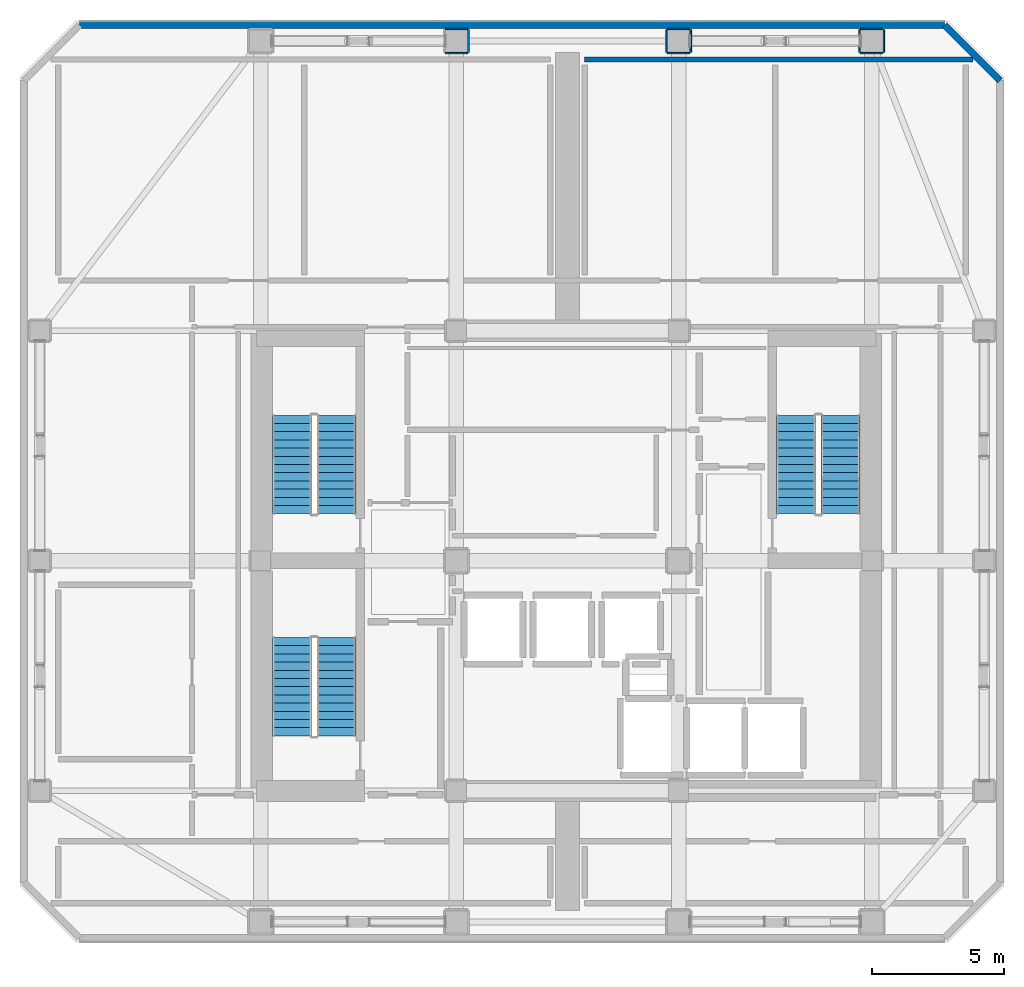
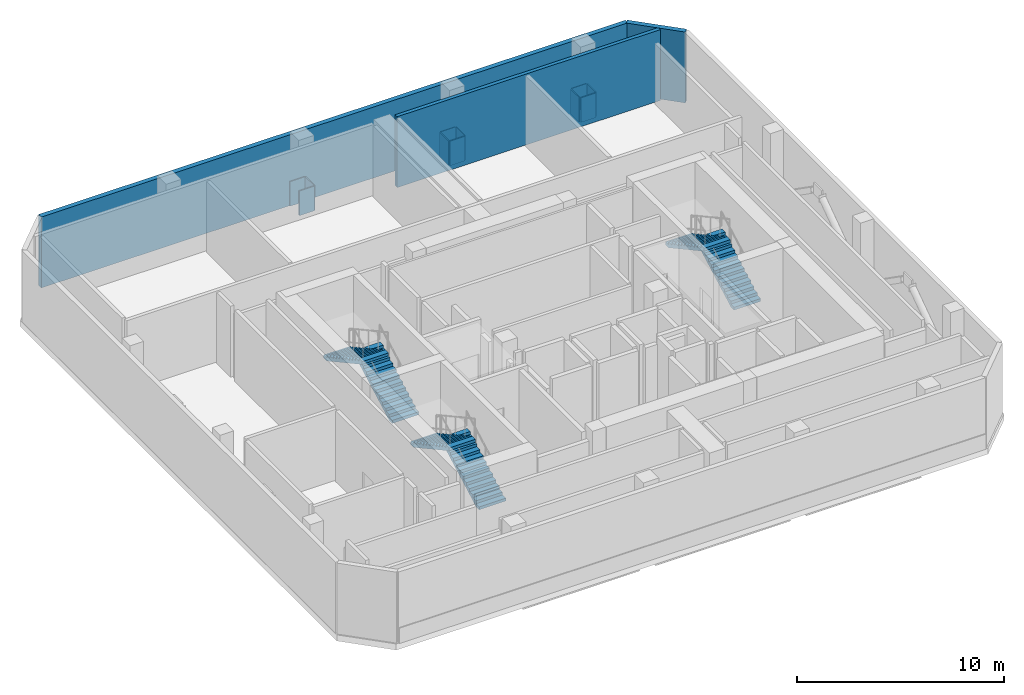
# One storey, part 11 of 13: 14 walls, 6 stair flights, 3 elements without a shape of their own.
"""IFC4 building model written with IfcOpenShell, lengths in metres."""

import ifcopenshell
import ifcopenshell.guid

model = None  # the IFC model being written
_history = None  # IfcOwnerHistory: only IFC2X3 demands one
_inside = {}  # id of a spatial element -> (the spatial element, [elements in it])
_under = {}  # id of a project, library or spatial element -> (it, [spatial elements below it])
_declared = {}  # id of a project -> (the project, [libraries it declares])
_typed = {}  # id of a type object -> (the type object, [elements of that type])
_made_of = {}  # id of a material, layer set ... -> (it, [elements and type objects made of it])


def new_model(schema):
    """Start an empty IFC model of exactly this schema.

    Asked for "IFC4X3", IfcOpenShell would pick the latest addendum, in which some entities
    have other attributes; the version numbers below select the first issue.
    IFC2X3 requires an IfcOwnerHistory on every rooted entity: one is made here for all.
    """
    global model, _history
    if schema == "IFC4X3":
        model = ifcopenshell.file(schema_version=(4, 3, 0, 0))
    else:
        model = ifcopenshell.file(schema=schema)
    _inside.clear()
    _under.clear()
    _declared.clear()
    _typed.clear()
    _made_of.clear()
    _history = None
    if model.schema == "IFC2X3":
        org = make("IfcOrganization", Name="unknown")
        user = make(
            "IfcPersonAndOrganization",
            ThePerson=make("IfcPerson", FamilyName="unknown"),
            TheOrganization=org,
        )
        app = make(
            "IfcApplication",
            ApplicationDeveloper=org,
            Version="unknown",
            ApplicationFullName="unknown",
            ApplicationIdentifier="unknown",
        )
        _history = make(
            "IfcOwnerHistory",
            OwningUser=user,
            OwningApplication=app,
            ChangeAction="ADDED",
            CreationDate=0,
        )
    return model


def make(cls, **values):
    """One entity of the class cls with the attributes given. An attribute that is None is left unset."""
    return model.create_entity(
        cls, **{name: value for name, value in values.items() if value is not None}
    )


def rooted(cls, **values):
    """An entity with a GlobalId (a new one), such as an element, a storey or a relation."""
    return make(cls, GlobalId=ifcopenshell.guid.new(), OwnerHistory=_history, **values)


def si_unit(unit_type, name, prefix=None):
    """IfcSIUnit, for example si_unit("LENGTHUNIT", "METRE", prefix="MILLI")."""
    return make("IfcSIUnit", UnitType=unit_type, Prefix=prefix, Name=name)


def assignment(units):
    """IfcUnitAssignment: the units of a project."""
    return None if units is None else make("IfcUnitAssignment", Units=units)


def point(xyz):
    """IfcCartesianPoint."""
    return None if xyz is None else make("IfcCartesianPoint", Coordinates=xyz)


def direction(xyz):
    """IfcDirection."""
    return None if xyz is None else make("IfcDirection", DirectionRatios=xyz)


def frame(location, z_axis=None, x_axis=None):
    """IfcAxis2Placement3D, a coordinate frame: its origin and axes. An axis left out is left unset."""
    return make(
        "IfcAxis2Placement3D",
        Location=point(location),
        Axis=direction(z_axis),
        RefDirection=direction(x_axis),
    )


def frame_2d(location, x_axis=None):
    """IfcAxis2Placement2D, a coordinate frame in the plane: its origin and x axis."""
    return make(
        "IfcAxis2Placement2D", Location=point(location), RefDirection=direction(x_axis)
    )


def origin():
    """The frame at (0, 0, 0) with its axes left unset."""
    return frame((0.0, 0.0, 0.0))


def place(relative_to, where):
    """IfcLocalPlacement: puts the frame where relative to a parent placement (None: the world)."""
    return make(
        "IfcLocalPlacement", PlacementRelTo=relative_to, RelativePlacement=where
    )


def context(
    kind, dimensions, precision=None, world=None, true_north=None, identifier=None
):
    """IfcGeometricRepresentationContext, for example the 3D "Model" context."""
    return make(
        "IfcGeometricRepresentationContext",
        ContextIdentifier=identifier,
        ContextType=kind,
        CoordinateSpaceDimension=dimensions,
        Precision=precision,
        WorldCoordinateSystem=world,
        TrueNorth=true_north,
    )


def subcontext(parent, identifier, kind, view, scale=None):
    """IfcGeometricRepresentationSubContext, for example "Body" below "Model"."""
    return make(
        "IfcGeometricRepresentationSubContext",
        ContextIdentifier=identifier,
        ContextType=kind,
        ParentContext=parent,
        TargetScale=scale,
        TargetView=view,
    )


def project(units=None, contexts=None):
    """IfcProject with its units and contexts."""
    return rooted(
        "IfcProject",
        Name="project",
        RepresentationContexts=contexts,
        UnitsInContext=assignment(units),
    )


def spatial(cls, under=None, at=None, **own):
    """A site, building, storey or space (cls), placed at a placement, below another one or the project."""
    s = rooted(cls, ObjectPlacement=at, **own)
    if under is not None:
        _under.setdefault(under.id(), (under, []))[1].append(s)
    return s


def polyline(points):
    """IfcPolyline through the points."""
    return make("IfcPolyline", Points=[point(p) for p in points])


def profile(cls, at=None, kind="AREA", **sizes):
    """A parametric profile (cls). Its sizes go by their IFC names, for example OverallWidth=200.0."""
    return make(cls, ProfileType=kind, Position=at, **sizes)


def rectangle(**sizes):
    """IfcRectangleProfileDef."""
    return profile("IfcRectangleProfileDef", **sizes)


def outline(outer, holes=None, kind="AREA"):
    """IfcArbitraryClosedProfileDef: a profile drawn as a closed curve; with holes, ...WithVoids."""
    if holes is None:
        return make("IfcArbitraryClosedProfileDef", ProfileType=kind, OuterCurve=outer)
    return make(
        "IfcArbitraryProfileDefWithVoids",
        ProfileType=kind,
        OuterCurve=outer,
        InnerCurves=holes,
    )


def extrude(swept, where, along, depth):
    """IfcExtrudedAreaSolid: the profile swept, set in the frame where, extruded along a direction by depth."""
    return make(
        "IfcExtrudedAreaSolid",
        SweptArea=swept,
        Position=where,
        ExtrudedDirection=direction(along),
        Depth=depth,
    )


def shape(context_of_items, identifier, shape_type, items):
    """IfcShapeRepresentation: the items that make up one representation, for example the "Body"."""
    return make(
        "IfcShapeRepresentation",
        ContextOfItems=context_of_items,
        RepresentationIdentifier=identifier,
        RepresentationType=shape_type,
        Items=items,
    )


def material(Name=None, Category=None):
    """IfcMaterial."""
    return make("IfcMaterial", Name=Name, Category=Category)


def layer(
    of_material, thickness, ventilated=None, Name=None, Category=None, Priority=None
):
    """IfcMaterialLayer: one layer of a wall or slab, of a material (None: an air gap)."""
    return make(
        "IfcMaterialLayer",
        Material=of_material,
        LayerThickness=thickness,
        IsVentilated=ventilated,
        Name=Name,
        Category=Category,
        Priority=Priority,
    )


def layer_set(layers, Name=None):
    """IfcMaterialLayerSet."""
    return make("IfcMaterialLayerSet", MaterialLayers=layers, LayerSetName=Name)


def made_of(thing, what):
    """Note that an element or type object is made of a material, layer set ...; save() writes the relation."""
    if what is not None:
        _made_of.setdefault(what.id(), (what, []))[1].append(thing)
    return thing


def type_object(cls, material=None, **own):
    """A type object (cls), such as IfcWallType, which elements share."""
    return made_of(rooted(cls, **own), material)


def element(
    cls,
    number,
    at=None,
    inside=None,
    cuts=None,
    type_object=None,
    material=None,
    context=None,
    identifier="Body",
    shape_type=None,
    held_by="IfcProductDefinitionShape",
    body=None,
    shapes=None,
    **own,
):
    """One element of the class cls, such as IfcWall. Its Tag is "e" and its number.

    at: its placement. inside: the storey or other place that contains it. cuts: it is an
    opening in that element (IfcRelVoidsElement). A single representation is given by context,
    identifier, shape_type and body (its items); several are given by shapes. held_by: the class
    of the entity that holds the representations. save() writes the other relations.
    """
    e = rooted(cls, Tag="e%d" % number, ObjectPlacement=at, **own)
    if body is not None:
        shapes = [shape(context, identifier, shape_type, body)]
    if shapes is not None:
        e.Representation = make(held_by, Representations=shapes)
    if inside is not None:
        _inside.setdefault(inside.id(), (inside, []))[1].append(e)
    if cuts is not None:
        rooted(
            "IfcRelVoidsElement", RelatingBuildingElement=cuts, RelatedOpeningElement=e
        )
    if type_object is not None:
        _typed.setdefault(type_object.id(), (type_object, []))[1].append(e)
    return made_of(e, material)


def aggregate(whole, parts):
    """IfcRelAggregates: a whole, such as a stair, and the parts it consists of."""
    return rooted("IfcRelAggregates", RelatingObject=whole, RelatedObjects=parts)


def save(model, path):
    """Write the relations noted so far, then the file.

    IfcRelAggregates (storeys below a building ...), IfcRelContainedInSpatialStructure (elements
    in a storey), IfcRelDefinesByType, IfcRelAssociatesMaterial and IfcRelDeclares: one each for
    every whole, place, type object, material and project.
    """
    for whole, parts in _under.values():
        aggregate(whole, parts)
    for where, things in _inside.values():
        rooted(
            "IfcRelContainedInSpatialStructure",
            RelatedElements=things,
            RelatingStructure=where,
        )
    for kind, things in _typed.values():
        rooted("IfcRelDefinesByType", RelatedObjects=things, RelatingType=kind)
    for what, things in _made_of.values():
        rooted("IfcRelAssociatesMaterial", RelatedObjects=things, RelatingMaterial=what)
    for by, libraries in _declared.values():
        rooted("IfcRelDeclares", RelatingContext=by, RelatedDefinitions=libraries)
    model.write(path)


model = new_model("IFC4")

# Units and contexts
model_context = context("Model", 3, precision=1e-05, world=origin(), true_north=direction((0.0, 1.0)))
body_context = subcontext(model_context, "Body", "Model", "MODEL_VIEW")
ifc_project = project(units=[si_unit("LENGTHUNIT", "METRE"), si_unit("AREAUNIT", "SQUARE_METRE"), si_unit("VOLUMEUNIT", "CUBIC_METRE"), si_unit("PLANEANGLEUNIT", "RADIAN"), si_unit("MASSUNIT", "GRAM", prefix="KILO")], contexts=[model_context])

# Site, building, storey
site_placement = place(None, origin())
site = spatial("IfcSite", under=ifc_project, at=site_placement, CompositionType="ELEMENT")
building_placement = place(site_placement, origin())
building = spatial("IfcBuilding", under=site, at=building_placement, Name="Solanera Arch Residences", CompositionType="ELEMENT")
storey_placement = place(building_placement, frame((0.0, 0.0, 257.840087890625)))
storey = spatial("IfcBuildingStorey", under=building, at=storey_placement, Name="L75", CompositionType="ELEMENT", Elevation=257.840087890625)

# Walls
ifc_material_1 = material(Name="Fire-Rated Gypsum Stud Partition", Category="gypsum")
ifc_layer_1 = layer(ifc_material_1, 0.06005859375)
ifc_layer_set_1 = layer_set([ifc_layer_1], Name="Fire-Rated Gypsum Stud Partition")
wall_type_1 = type_object("IfcWallType", Name="Column Acoustic Furring Wall 60", PredefinedType="PARTITIONING", material=ifc_layer_set_1)
for number, where, z_axis, x_axis, name in (
    (1, (20.375, 49.89306640625, 0.0), (0.0, 0.0, 1.0), (1.0, 0.0, 0.0), "L75 Column Furring 12S"),
    (2, (20.375, 50.806884765625, 0.0), (0.0, 0.0, 1.0), (1.0, 0.0, 0.0), "L75 Column Furring 12N"),
):
    element("IfcWall", number, at=place(storey_placement, frame(where, z_axis=z_axis, x_axis=x_axis)), inside=storey, type_object=wall_type_1, Name=name, PredefinedType="PARTITIONING", context=body_context, shape_type="SweptSolid", body=[
        extrude(rectangle(XDim=0.85009765625, YDim=0.06005859375, at=frame_2d((0.425048828125, 0.0))), origin(), (0.0, 0.0, 1.0), 1.449951171875),
    ])
wall_1_placement = place(storey_placement, frame((21.257080078125, 49.925048828125, 0.0), z_axis=(0.0, 0.0, 1.0), x_axis=(0.0, 1.0, 0.0)))
element("IfcWall", 3, at=wall_1_placement, inside=storey, type_object=wall_type_1, Name="L75 Column Furring 12E", PredefinedType="PARTITIONING", context=body_context, shape_type="SweptSolid", body=[
    extrude(rectangle(XDim=0.849853515625, YDim=0.06005859375, at=frame_2d((0.4248046875, 0.0))), origin(), (0.0, 0.0, 1.0), 1.449951171875),
])
for number, where, z_axis, x_axis, name in (
    (4, (28.77490234375, 49.89306640625, 0.0), (0.0, 0.0, 1.0), (1.0, 0.0, 0.0), "L75 Column Furring 14S"),
    (5, (28.77490234375, 50.806884765625, 0.0), (0.0, 0.0, 1.0), (1.0, 0.0, 0.0), "L75 Column Furring 14N"),
):
    element("IfcWall", number, at=place(storey_placement, frame(where, z_axis=z_axis, x_axis=x_axis)), inside=storey, type_object=wall_type_1, Name=name, PredefinedType="PARTITIONING", context=body_context, shape_type="SweptSolid", body=[
        extrude(rectangle(XDim=0.85009765625, YDim=0.06005859375, at=frame_2d((0.425048828125, 0.0))), origin(), (0.0, 0.0, 1.0), 1.449951171875),
    ])
for number, where, z_axis, x_axis, name in (
    (6, (28.742919921875, 49.925048828125, 0.0), (0.0, 0.0, 1.0), (0.0, 1.0, 0.0), "L75 Column Furring 14W"),
    (7, (29.656982421875, 49.925048828125, 0.0), (0.0, 0.0, 1.0), (0.0, 1.0, 0.0), "L75 Column Furring 14E"),
):
    element("IfcWall", number, at=place(storey_placement, frame(where, z_axis=z_axis, x_axis=x_axis)), inside=storey, type_object=wall_type_1, Name=name, PredefinedType="PARTITIONING", context=body_context, shape_type="SweptSolid", body=[
        extrude(rectangle(XDim=0.849853515625, YDim=0.06005859375, at=frame_2d((0.4248046875, 0.0))), origin(), (0.0, 0.0, 1.0), 1.449951171875),
    ])
for number, where, z_axis, x_axis, name in (
    (8, (36.074951171875, 49.89306640625, 0.0), (0.0, 0.0, 1.0), (1.0, 0.0, 0.0), "L75 Column Furring 16S"),
    (9, (36.074951171875, 50.806884765625, 0.0), (0.0, 0.0, 1.0), (1.0, 0.0, 0.0), "L75 Column Furring 16N"),
):
    element("IfcWall", number, at=place(storey_placement, frame(where, z_axis=z_axis, x_axis=x_axis)), inside=storey, type_object=wall_type_1, Name=name, PredefinedType="PARTITIONING", context=body_context, shape_type="SweptSolid", body=[
        extrude(rectangle(XDim=0.85009765625, YDim=0.06005859375, at=frame_2d((0.425048828125, 0.0))), origin(), (0.0, 0.0, 1.0), 1.449951171875),
    ])
for number, where, z_axis, x_axis, name in (
    (10, (36.04296875, 49.925048828125, 0.0), (0.0, 0.0, 1.0), (0.0, 1.0, 0.0), "L75 Column Furring 16W"),
    (11, (36.95703125, 49.925048828125, 0.0), (0.0, 0.0, 1.0), (0.0, 1.0, 0.0), "L75 Column Furring 16E"),
):
    element("IfcWall", number, at=place(storey_placement, frame(where, z_axis=z_axis, x_axis=x_axis)), inside=storey, type_object=wall_type_1, Name=name, PredefinedType="PARTITIONING", context=body_context, shape_type="SweptSolid", body=[
        extrude(rectangle(XDim=0.849853515625, YDim=0.06005859375, at=frame_2d((0.4248046875, 0.0))), origin(), (0.0, 0.0, 1.0), 1.449951171875),
    ])
ifc_material_2 = material(Name="Precast Concrete C35/45", Category="concrete")
ifc_layer_2 = layer(ifc_material_2, 0.260009765625)
ifc_layer_set_2 = layer_set([ifc_layer_2], Name="Precast Concrete C35/45")
wall_type_2 = type_object("IfcWallType", Name="Exterior Wall Precast Masonry-Frame 260", PredefinedType="STANDARD", material=ifc_layer_set_2)
wall_2_placement = place(storey_placement, frame((6.544921875, 50.955078125, 0.0), z_axis=(0.0, 0.0, 1.0), x_axis=(1.0, 0.0, 0.0)))
element("IfcWall", 12, at=wall_2_placement, inside=storey, type_object=wall_type_2, Name="L75 Tower Exterior Precast Masonry-Frame Wall N", PredefinedType="STANDARD", context=body_context, shape_type="SweptSolid", body=[
    extrude(rectangle(XDim=32.7099609375, YDim=0.260009765625, at=frame_2d((16.35498046875, 0.0))), origin(), (0.0, 0.0, 1.0), 4.179931640625),
])
wall_3_placement = place(storey_placement, frame((39.2548828125, 50.955078125, 0.0), z_axis=(0.0, 0.0, 1.0), x_axis=(0.707106781187, -0.707106781187, 0.0)))
element("IfcWall", 13, at=wall_3_placement, inside=storey, type_object=wall_type_2, Name="L75 Tower Exterior Precast Masonry-Frame Wall CH3", PredefinedType="STANDARD", context=body_context, shape_type="SweptSolid", body=[
    extrude(rectangle(XDim=2.969970703125, YDim=0.260009765625, at=frame_2d((1.48486328125, 0.0))), origin(), (0.0, 0.0, 1.0), 4.179931640625),
])
ifc_material_3 = material(Name="Autoclaved Aerated Concrete Blockwork", Category="masonry")
ifc_layer_3 = layer(ifc_material_3, 0.199951171875)
ifc_layer_set_3 = layer_set([ifc_layer_3], Name="Autoclaved Aerated Concrete Blockwork")
wall_type_3 = type_object("IfcWallType", Name="Party Wall Acoustic 200", PredefinedType="PARTITIONING", material=ifc_layer_set_3)
wall_4_placement = place(storey_placement, frame((25.64990234375, 49.64990234375, 0.0), z_axis=(0.0, 0.0, 1.0), x_axis=(1.0, 0.0, 0.0)))
element("IfcWall", 14, at=wall_4_placement, inside=storey, type_object=wall_type_3, Name="L75 Interior Partition H14", PredefinedType="PARTITIONING", context=body_context, shape_type="SweptSolid", body=[
    extrude(rectangle(XDim=14.68115234375, YDim=0.199951171875, at=frame_2d((7.340576171875, 0.0))), origin(), (0.0, 0.0, 1.0), 4.179931640625),
])

# Stair, stair flights
ifc_material_4 = material(Name="Concrete C40/50 (f'c = 45 MPa)", Category="concrete")
stair_type = type_object("IfcStairType", Name="Tower Dogleg Exit Stair 1480", PredefinedType="HALF_TURN_STAIR", material=ifc_material_4)
stair_1_placement = place(storey_placement, origin())
stair_1 = element("IfcStair", 15, at=stair_1_placement, inside=storey, type_object=stair_type, Name="L75 Tower Core Exit Stair 1", PredefinedType="HALF_TURN_STAIR")
ifc_material_5 = material(Name="Concrete C40/50 (f'c = 45 MPa)", Category="concrete")
stair_flight_type = type_object("IfcStairFlightType", Name="Tower Precast Stair Flight 1480", PredefinedType="STRAIGHT", material=ifc_material_5)
stair_flight_1_placement = place(storey_placement, frame((16.260009765625, 32.47998046875, 0.0), z_axis=(0.0, 0.0, 1.0), x_axis=(0.0, 1.0, 0.0)))
stair_flight_1 = element("IfcStairFlight", 16, at=stair_flight_1_placement, type_object=stair_flight_type, Name="ST-T1 flight 1", NumberOfRisers=13, NumberOfTreads=12, PredefinedType="STRAIGHT", RiserHeight=0.169230769, TreadLength=0.31, context=body_context, shape_type="SweptSolid", body=[
    extrude(outline(polyline([(0.0, 0.0), (0.0, 0.169189453125), (0.31005859375, 0.169189453125), (0.31005859375, 0.33837890625), (0.6201171875, 0.33837890625), (0.6201171875, 0.5078125), (0.929931640625, 0.5078125), (0.929931640625, 0.677001953125), (1.239990234375, 0.677001953125), (1.239990234375, 0.84619140625), (1.550048828125, 0.84619140625), (1.550048828125, 1.015380859375), (1.860107421875, 1.015380859375), (1.860107421875, 1.1845703125), (2.169921875, 1.1845703125), (2.169921875, 1.353759765625), (2.47998046875, 1.353759765625), (2.47998046875, 1.523193359375), (2.7900390625, 1.523193359375), (2.7900390625, 1.6923828125), (3.10009765625, 1.6923828125), (3.10009765625, 1.861572265625), (3.409912109375, 1.861572265625), (3.409912109375, 2.03076171875), (3.719970703125, 2.03076171875), (3.719970703125, 2.199951171875), (3.719970703125, 1.85986328125), (0.312744140625, 0.0), (0.0, 0.0)])), frame((0.0, 0.739990234375, 0.0), z_axis=(0.0, -1.0, 0.0), x_axis=(1.0, 0.0, 0.0)), (0.0, 0.0, 1.0), 1.47998046875),
])
stair_flight_2_placement = place(storey_placement, frame((14.580078125, 36.199951171875, 2.199951171875), z_axis=(0.0, 0.0, 1.0), x_axis=(0.0, -1.0, 0.0)))
stair_flight_2 = element("IfcStairFlight", 17, at=stair_flight_2_placement, type_object=stair_flight_type, Name="ST-T1 flight 2", NumberOfRisers=13, NumberOfTreads=12, PredefinedType="STRAIGHT", RiserHeight=0.169230769, TreadLength=0.31, context=body_context, shape_type="SweptSolid", body=[
    extrude(outline(polyline([(0.0, 0.0), (0.0, 0.169189453125), (0.31005859375, 0.169189453125), (0.31005859375, 0.33837890625), (0.6201171875, 0.33837890625), (0.6201171875, 0.5078125), (0.929931640625, 0.5078125), (0.929931640625, 0.677001953125), (1.239990234375, 0.677001953125), (1.239990234375, 0.84619140625), (1.550048828125, 0.84619140625), (1.550048828125, 1.015380859375), (1.860107421875, 1.015380859375), (1.860107421875, 1.1845703125), (2.169921875, 1.1845703125), (2.169921875, 1.353759765625), (2.47998046875, 1.353759765625), (2.47998046875, 1.523193359375), (2.7900390625, 1.523193359375), (2.7900390625, 1.6923828125), (3.10009765625, 1.6923828125), (3.10009765625, 1.861572265625), (3.409912109375, 1.861572265625), (3.409912109375, 2.03076171875), (3.719970703125, 2.03076171875), (3.719970703125, 2.199951171875), (3.719970703125, 1.85986328125), (0.312744140625, 0.0), (0.0, 0.0)])), frame((0.0, 0.739990234375, 0.0), z_axis=(0.0, -1.0, 0.0), x_axis=(1.0, 0.0, 0.0)), (0.0, 0.0, 1.0), 1.47998046875),
])
aggregate(stair_1, [stair_flight_1, stair_flight_2])

stair_2_placement = place(storey_placement, origin())
stair_2 = element("IfcStair", 18, at=stair_2_placement, inside=storey, type_object=stair_type, Name="L75 Tower Core Exit Stair 2", PredefinedType="HALF_TURN_STAIR")
stair_flight_3_placement = place(storey_placement, frame((35.320068359375, 32.47998046875, 0.0), z_axis=(0.0, 0.0, 1.0), x_axis=(0.0, 1.0, 0.0)))
stair_flight_3 = element("IfcStairFlight", 19, at=stair_flight_3_placement, type_object=stair_flight_type, Name="ST-T2 flight 1", NumberOfRisers=13, NumberOfTreads=12, PredefinedType="STRAIGHT", RiserHeight=0.169230769, TreadLength=0.31, context=body_context, shape_type="SweptSolid", body=[
    extrude(outline(polyline([(0.0, 0.0), (0.0, 0.169189453125), (0.31005859375, 0.169189453125), (0.31005859375, 0.33837890625), (0.6201171875, 0.33837890625), (0.6201171875, 0.5078125), (0.929931640625, 0.5078125), (0.929931640625, 0.677001953125), (1.239990234375, 0.677001953125), (1.239990234375, 0.84619140625), (1.550048828125, 0.84619140625), (1.550048828125, 1.015380859375), (1.860107421875, 1.015380859375), (1.860107421875, 1.1845703125), (2.169921875, 1.1845703125), (2.169921875, 1.353759765625), (2.47998046875, 1.353759765625), (2.47998046875, 1.523193359375), (2.7900390625, 1.523193359375), (2.7900390625, 1.6923828125), (3.10009765625, 1.6923828125), (3.10009765625, 1.861572265625), (3.409912109375, 1.861572265625), (3.409912109375, 2.03076171875), (3.719970703125, 2.03076171875), (3.719970703125, 2.199951171875), (3.719970703125, 1.85986328125), (0.312744140625, 0.0), (0.0, 0.0)])), frame((0.0, 0.739990234375, 0.0), z_axis=(0.0, -1.0, 0.0), x_axis=(1.0, 0.0, 0.0)), (0.0, 0.0, 1.0), 1.47998046875),
])
stair_flight_4_placement = place(storey_placement, frame((33.639892578125, 36.199951171875, 2.199951171875), z_axis=(0.0, 0.0, 1.0), x_axis=(0.0, -1.0, 0.0)))
stair_flight_4 = element("IfcStairFlight", 20, at=stair_flight_4_placement, type_object=stair_flight_type, Name="ST-T2 flight 2", NumberOfRisers=13, NumberOfTreads=12, PredefinedType="STRAIGHT", RiserHeight=0.169230769, TreadLength=0.31, context=body_context, shape_type="SweptSolid", body=[
    extrude(outline(polyline([(0.0, 0.0), (0.0, 0.169189453125), (0.31005859375, 0.169189453125), (0.31005859375, 0.33837890625), (0.6201171875, 0.33837890625), (0.6201171875, 0.5078125), (0.929931640625, 0.5078125), (0.929931640625, 0.677001953125), (1.239990234375, 0.677001953125), (1.239990234375, 0.84619140625), (1.550048828125, 0.84619140625), (1.550048828125, 1.015380859375), (1.860107421875, 1.015380859375), (1.860107421875, 1.1845703125), (2.169921875, 1.1845703125), (2.169921875, 1.353759765625), (2.47998046875, 1.353759765625), (2.47998046875, 1.523193359375), (2.7900390625, 1.523193359375), (2.7900390625, 1.6923828125), (3.10009765625, 1.6923828125), (3.10009765625, 1.861572265625), (3.409912109375, 1.861572265625), (3.409912109375, 2.03076171875), (3.719970703125, 2.03076171875), (3.719970703125, 2.199951171875), (3.719970703125, 1.85986328125), (0.312744140625, 0.0), (0.0, 0.0)])), frame((0.0, 0.739990234375, 0.0), z_axis=(0.0, -1.0, 0.0), x_axis=(1.0, 0.0, 0.0)), (0.0, 0.0, 1.0), 1.47998046875),
])
aggregate(stair_2, [stair_flight_3, stair_flight_4])

stair_3_placement = place(storey_placement, origin())
stair_3 = element("IfcStair", 21, at=stair_3_placement, inside=storey, type_object=stair_type, Name="L75 Tower Core Exit Stair 3", PredefinedType="HALF_TURN_STAIR")
stair_flight_5_placement = place(storey_placement, frame((16.260009765625, 24.080078125, 0.0), z_axis=(0.0, 0.0, 1.0), x_axis=(0.0, 1.0, 0.0)))
stair_flight_5 = element("IfcStairFlight", 22, at=stair_flight_5_placement, type_object=stair_flight_type, Name="ST-T3 flight 1", NumberOfRisers=13, NumberOfTreads=12, PredefinedType="STRAIGHT", RiserHeight=0.169230769, TreadLength=0.31, context=body_context, shape_type="SweptSolid", body=[
    extrude(outline(polyline([(0.0, 0.0), (0.0, 0.169189453125), (0.31005859375, 0.169189453125), (0.31005859375, 0.33837890625), (0.6201171875, 0.33837890625), (0.6201171875, 0.5078125), (0.929931640625, 0.5078125), (0.929931640625, 0.677001953125), (1.239990234375, 0.677001953125), (1.239990234375, 0.84619140625), (1.550048828125, 0.84619140625), (1.550048828125, 1.015380859375), (1.860107421875, 1.015380859375), (1.860107421875, 1.1845703125), (2.169921875, 1.1845703125), (2.169921875, 1.353759765625), (2.47998046875, 1.353759765625), (2.47998046875, 1.523193359375), (2.7900390625, 1.523193359375), (2.7900390625, 1.6923828125), (3.10009765625, 1.6923828125), (3.10009765625, 1.861572265625), (3.409912109375, 1.861572265625), (3.409912109375, 2.03076171875), (3.719970703125, 2.03076171875), (3.719970703125, 2.199951171875), (3.719970703125, 1.85986328125), (0.312744140625, 0.0), (0.0, 0.0)])), frame((0.0, 0.739990234375, 0.0), z_axis=(0.0, -1.0, 0.0), x_axis=(1.0, 0.0, 0.0)), (0.0, 0.0, 1.0), 1.47998046875),
])
stair_flight_6_placement = place(storey_placement, frame((14.580078125, 27.800048828125, 2.199951171875), z_axis=(0.0, 0.0, 1.0), x_axis=(0.0, -1.0, 0.0)))
stair_flight_6 = element("IfcStairFlight", 23, at=stair_flight_6_placement, type_object=stair_flight_type, Name="ST-T3 flight 2", NumberOfRisers=13, NumberOfTreads=12, PredefinedType="STRAIGHT", RiserHeight=0.169230769, TreadLength=0.31, context=body_context, shape_type="SweptSolid", body=[
    extrude(outline(polyline([(0.0, 0.0), (0.0, 0.169189453125), (0.31005859375, 0.169189453125), (0.31005859375, 0.33837890625), (0.6201171875, 0.33837890625), (0.6201171875, 0.5078125), (0.929931640625, 0.5078125), (0.929931640625, 0.677001953125), (1.239990234375, 0.677001953125), (1.239990234375, 0.84619140625), (1.550048828125, 0.84619140625), (1.550048828125, 1.015380859375), (1.860107421875, 1.015380859375), (1.860107421875, 1.1845703125), (2.169921875, 1.1845703125), (2.169921875, 1.353759765625), (2.47998046875, 1.353759765625), (2.47998046875, 1.523193359375), (2.7900390625, 1.523193359375), (2.7900390625, 1.6923828125), (3.10009765625, 1.6923828125), (3.10009765625, 1.861572265625), (3.409912109375, 1.861572265625), (3.409912109375, 2.03076171875), (3.719970703125, 2.03076171875), (3.719970703125, 2.199951171875), (3.719970703125, 1.85986328125), (0.312744140625, 0.0), (0.0, 0.0)])), frame((0.0, 0.739990234375, 0.0), z_axis=(0.0, -1.0, 0.0), x_axis=(1.0, 0.0, 0.0)), (0.0, 0.0, 1.0), 1.47998046875),
])
aggregate(stair_3, [stair_flight_5, stair_flight_6])

save(model, "model.ifc")
